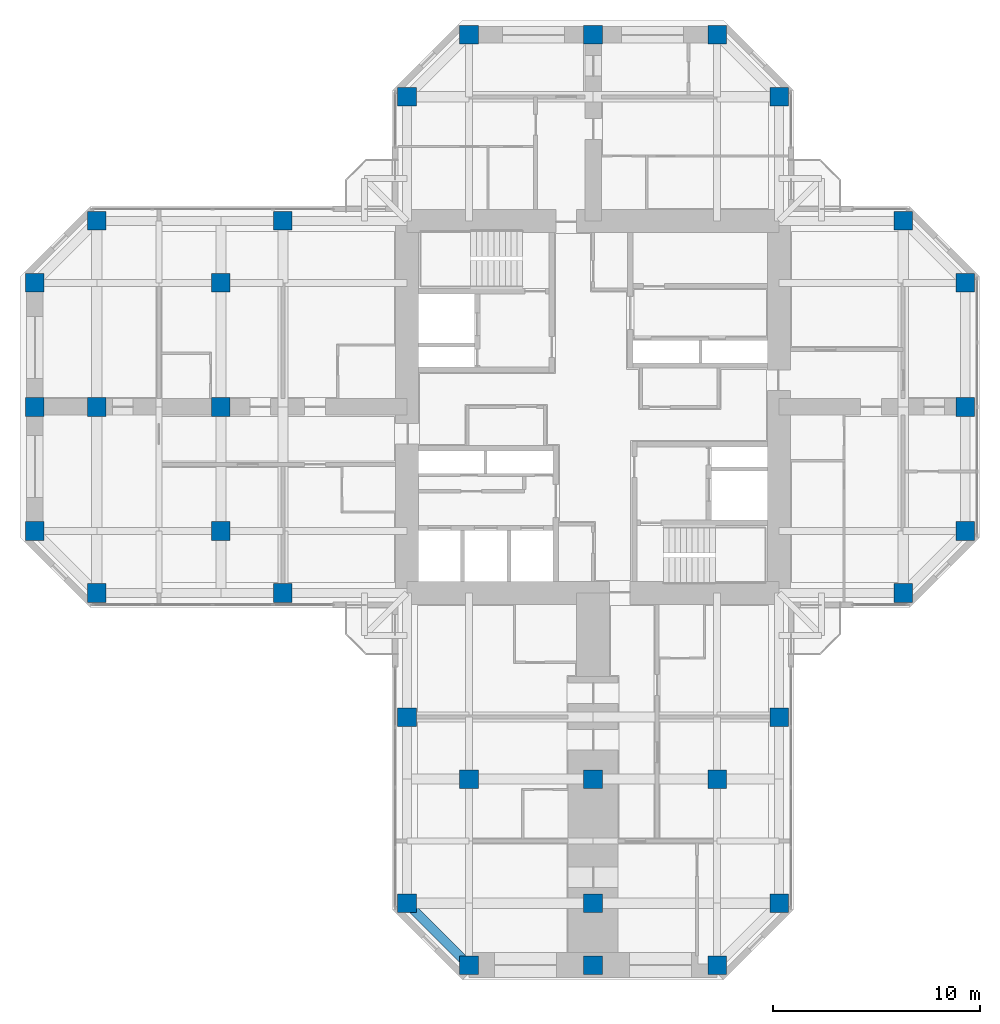
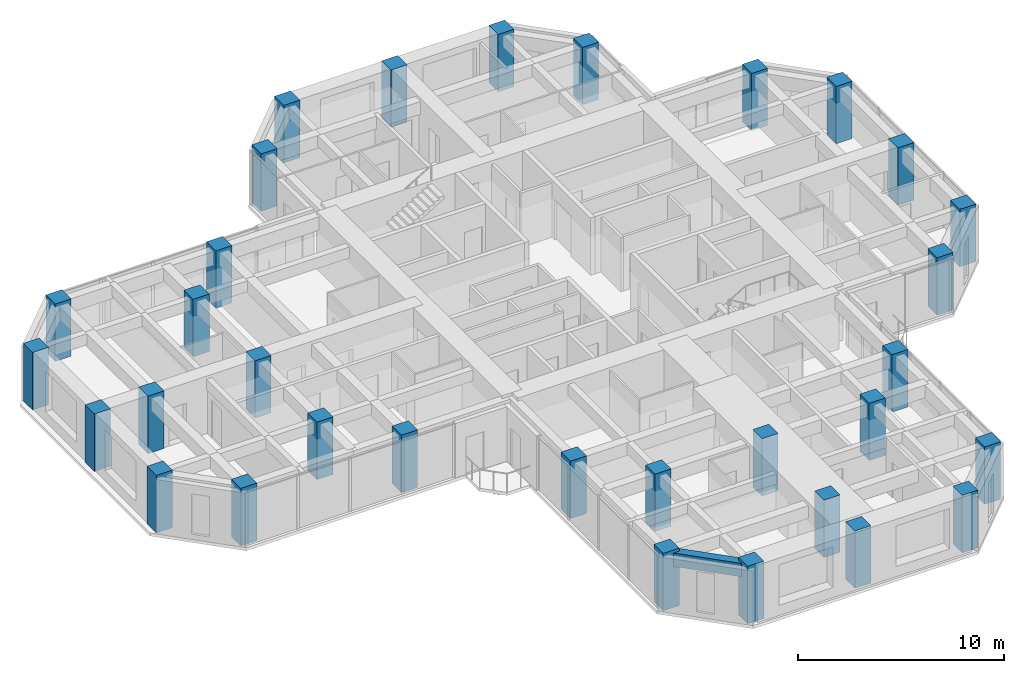
# One storey, part 1 of 14: 32 columns, 1 beam.
"""IFC4 building model written with IfcOpenShell, lengths in metres."""

from ifc_helpers import new_model, si_unit, direction, frame, origin, origin_2d, place, context, subcontext, project, spatial, rectangle, extrude, material, material_profile, profile_set, type_object, element, save


model = new_model("IFC4")

# Units and contexts
model_context = context("Model", 3, precision=1e-05, world=origin(), true_north=direction((0.0, 1.0)))
body_context = subcontext(model_context, "Body", "Model", "MODEL_VIEW")
ifc_project = project(units=[si_unit("LENGTHUNIT", "METRE"), si_unit("AREAUNIT", "SQUARE_METRE"), si_unit("VOLUMEUNIT", "CUBIC_METRE"), si_unit("PLANEANGLEUNIT", "RADIAN"), si_unit("MASSUNIT", "GRAM", prefix="KILO")], contexts=[model_context])

# Site, building, storey
site_placement = place(None, origin())
site = spatial("IfcSite", under=ifc_project, at=site_placement, CompositionType="ELEMENT")
building_placement = place(site_placement, origin())
building = spatial("IfcBuilding", under=site, at=building_placement, Name="Torre Cruceta", CompositionType="ELEMENT")
storey_placement = place(building_placement, frame((0.0, 0.0, 206.89990234375)))
storey = spatial("IfcBuildingStorey", under=building, at=storey_placement, Name="L52", CompositionType="ELEMENT", Elevation=206.89990234375)

# Columns
ifc_material_1 = material(Name="Concrete G60 (fck 60 MPa)", Category="concrete")
ifc_material_profile_1 = material_profile(ifc_material_1, rectangle(XDim=0.89990234375, YDim=0.89990234375, at=origin_2d()), Name="RC 900X900")
ifc_profile_set_1 = profile_set([ifc_material_profile_1], Name="Concrete G60 (fck 60 MPa)")
column_type = type_object("IfcColumnType", Name="COLUMN RC 900X900", PredefinedType="COLUMN", material=ifc_profile_set_1)
for number, where, z_axis, x_axis, name in (
    (1, (9.0, 15.0, 0.0), (0.0, 0.0, 1.0), (1.0, 0.0, 0.0), "C6 L52 N chamfer"),
    (2, (-9.0, 15.0, 0.0), (0.0, 0.0, 1.0), (1.0, 0.0, 0.0), "C6 L52 N chamfer"),
    (3, (6.0, 18.0, 0.0), (0.0, 0.0, 1.0), (1.0, 0.0, 0.0), "C6 L52 N tip"),
    (4, (0.0, 18.0, 0.0), (0.0, 0.0, 1.0), (1.0, 0.0, 0.0), "C6 L52 N tip"),
    (5, (-6.0, 18.0, 0.0), (0.0, 0.0, 1.0), (1.0, 0.0, 0.0), "C6 L52 N tip"),
    (6, (15.0, -9.0, 0.0), (0.0, 0.0, 1.0), (1.0, 0.0, 0.0), "C6 L52 E chamfer"),
    (7, (15.0, 9.0, 0.0), (0.0, 0.0, 1.0), (1.0, 0.0, 0.0), "C6 L52 E chamfer"),
    (8, (18.0, -6.0, 0.0), (0.0, 0.0, 1.0), (1.0, 0.0, 0.0), "C6 L52 E tip"),
    (9, (18.0, 0.0, 0.0), (0.0, 0.0, 1.0), (1.0, 0.0, 0.0), "C6 L52 E tip"),
    (10, (18.0, 6.0, 0.0), (0.0, 0.0, 1.0), (1.0, 0.0, 0.0), "C6 L52 E tip"),
    (11, (-9.0, -15.0, 0.0), (0.0, 0.0, 1.0), (1.0, 0.0, 0.0), "C6 L52 S side"),
    (12, (-9.0, -24.0, 0.0), (0.0, 0.0, 1.0), (1.0, 0.0, 0.0), "C6 L52 S chamfer"),
    (13, (9.0, -15.0, 0.0), (0.0, 0.0, 1.0), (1.0, 0.0, 0.0), "C6 L52 S side"),
    (14, (9.0, -24.0, 0.0), (0.0, 0.0, 1.0), (1.0, 0.0, 0.0), "C6 L52 S chamfer"),
    (15, (-6.0, -27.0, 0.0), (0.0, 0.0, 1.0), (1.0, 0.0, 0.0), "C6 L52 S tip"),
    (16, (0.0, -27.0, 0.0), (0.0, 0.0, 1.0), (1.0, 0.0, 0.0), "C6 L52 S tip"),
    (17, (6.0, -27.0, 0.0), (0.0, 0.0, 1.0), (1.0, 0.0, 0.0), "C6 L52 S tip"),
    (18, (-15.0, 9.0, 0.0), (0.0, 0.0, 1.0), (1.0, 0.0, 0.0), "C6 L52 W side"),
    (19, (-24.0, 9.0, 0.0), (0.0, 0.0, 1.0), (1.0, 0.0, 0.0), "C6 L52 W chamfer"),
    (20, (-15.0, -9.0, 0.0), (0.0, 0.0, 1.0), (1.0, 0.0, 0.0), "C6 L52 W side"),
    (21, (-24.0, -9.0, 0.0), (0.0, 0.0, 1.0), (1.0, 0.0, 0.0), "C6 L52 W chamfer"),
    (22, (-27.0, 6.0, 0.0), (0.0, 0.0, 1.0), (1.0, 0.0, 0.0), "C6 L52 W tip"),
    (23, (-27.0, 0.0, 0.0), (0.0, 0.0, 1.0), (1.0, 0.0, 0.0), "C6 L52 W tip"),
    (24, (-27.0, -6.0, 0.0), (0.0, 0.0, 1.0), (1.0, 0.0, 0.0), "C6 L52 W tip"),
    (25, (-6.0, -18.0, 0.0), (0.0, 0.0, 1.0), (1.0, 0.0, 0.0), "C6 L52 S interior"),
    (26, (0.0, -18.0, 0.0), (0.0, 0.0, 1.0), (1.0, 0.0, 0.0), "C6 L52 S interior"),
    (27, (6.0, -18.0, 0.0), (0.0, 0.0, 1.0), (1.0, 0.0, 0.0), "C6 L52 S interior"),
    (28, (0.0, -24.0, 0.0), (0.0, 0.0, 1.0), (1.0, 0.0, 0.0), "C6 L52 S interior"),
    (29, (-18.0, 6.0, 0.0), (0.0, 0.0, 1.0), (1.0, 0.0, 0.0), "C6 L52 W interior"),
    (30, (-18.0, 0.0, 0.0), (0.0, 0.0, 1.0), (1.0, 0.0, 0.0), "C6 L52 W interior"),
    (31, (-18.0, -6.0, 0.0), (0.0, 0.0, 1.0), (1.0, 0.0, 0.0), "C6 L52 W interior"),
    (32, (-24.0, 0.0, 0.0), (0.0, 0.0, 1.0), (1.0, 0.0, 0.0), "C6 L52 W interior"),
):
    element("IfcColumn", number, at=place(storey_placement, frame(where, z_axis=z_axis, x_axis=x_axis)), inside=storey, type_object=column_type, Name=name, PredefinedType="COLUMN", context=body_context, shape_type="SweptSolid", body=[
        extrude(rectangle(XDim=0.89990234375, YDim=0.89990234375, at=origin_2d()), origin(), (0.0, 0.0, 1.0), 3.400146484375),
    ])

# Beam
ifc_material_2 = material(Name="Concrete G60 (fck 60 MPa)", Category="concrete")
ifc_material_profile_2 = material_profile(ifc_material_2, rectangle(XDim=0.449951171875, YDim=0.800048828125, at=origin_2d()), Name="RC 450X800")
ifc_profile_set_2 = profile_set([ifc_material_profile_2], Name="Concrete G60 (fck 60 MPa)")
beam_type = type_object("IfcBeamType", Name="SPANDREL BEAM RC 450X800", PredefinedType="SPANDREL", material=ifc_profile_set_2)
beam_placement = place(storey_placement, frame((-9.0, -24.0, 2.820068359375), z_axis=(0.707106781187, -0.707106781187, 0.0), x_axis=(0.707106781187, 0.707106781187, 0.0)))
element("IfcBeam", 33, at=beam_placement, inside=storey, type_object=beam_type, Name="SB6 L52 S side- 5", PredefinedType="SPANDREL", context=body_context, shape_type="SweptSolid", body=[
    extrude(rectangle(XDim=0.449951171875, YDim=0.800048828125, at=origin_2d()), origin(), (0.0, 0.0, 1.0), 4.24267578125),
])

save(model, "model.ifc")
